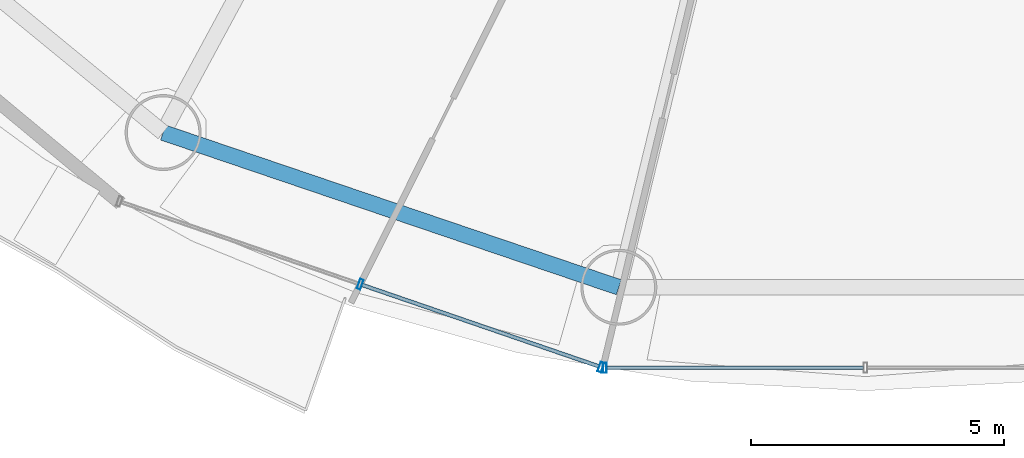
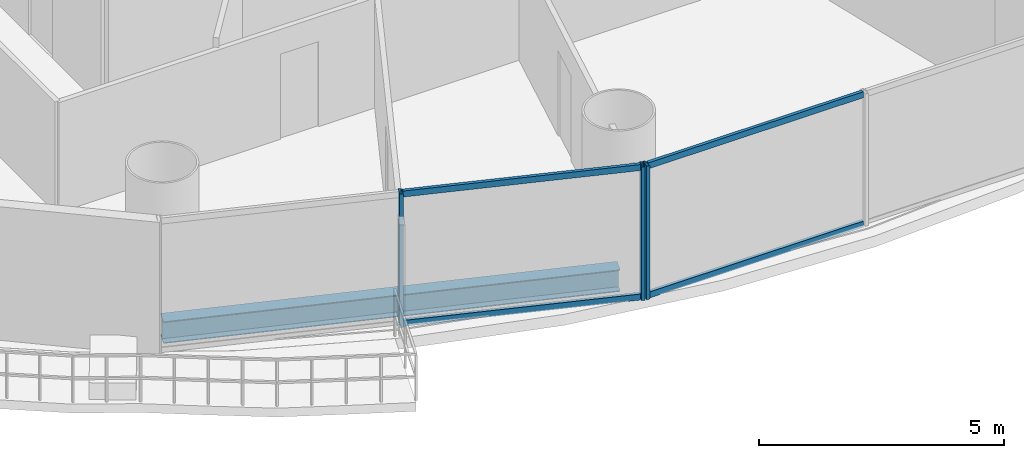
# One storey, part 4 of 29: 7 members, 1 beam, 2 elements without a shape of their own.
"""IFC4 building model written with IfcOpenShell, lengths in metres."""

import ifcopenshell
import ifcopenshell.guid

model = None  # the IFC model being written
_history = None  # IfcOwnerHistory: only IFC2X3 demands one
_inside = {}  # id of a spatial element -> (the spatial element, [elements in it])
_under = {}  # id of a project, library or spatial element -> (it, [spatial elements below it])
_declared = {}  # id of a project -> (the project, [libraries it declares])
_typed = {}  # id of a type object -> (the type object, [elements of that type])
_made_of = {}  # id of a material, layer set ... -> (it, [elements and type objects made of it])


def new_model(schema):
    """Start an empty IFC model of exactly this schema.

    Asked for "IFC4X3", IfcOpenShell would pick the latest addendum, in which some entities
    have other attributes; the version numbers below select the first issue.
    IFC2X3 requires an IfcOwnerHistory on every rooted entity: one is made here for all.
    """
    global model, _history
    if schema == "IFC4X3":
        model = ifcopenshell.file(schema_version=(4, 3, 0, 0))
    else:
        model = ifcopenshell.file(schema=schema)
    _inside.clear()
    _under.clear()
    _declared.clear()
    _typed.clear()
    _made_of.clear()
    _history = None
    if model.schema == "IFC2X3":
        org = make("IfcOrganization", Name="unknown")
        user = make(
            "IfcPersonAndOrganization",
            ThePerson=make("IfcPerson", FamilyName="unknown"),
            TheOrganization=org,
        )
        app = make(
            "IfcApplication",
            ApplicationDeveloper=org,
            Version="unknown",
            ApplicationFullName="unknown",
            ApplicationIdentifier="unknown",
        )
        _history = make(
            "IfcOwnerHistory",
            OwningUser=user,
            OwningApplication=app,
            ChangeAction="ADDED",
            CreationDate=0,
        )
    return model


def make(cls, **values):
    """One entity of the class cls with the attributes given. An attribute that is None is left unset."""
    return model.create_entity(
        cls, **{name: value for name, value in values.items() if value is not None}
    )


def rooted(cls, **values):
    """An entity with a GlobalId (a new one), such as an element, a storey or a relation."""
    return make(cls, GlobalId=ifcopenshell.guid.new(), OwnerHistory=_history, **values)


def si_unit(unit_type, name, prefix=None):
    """IfcSIUnit, for example si_unit("LENGTHUNIT", "METRE", prefix="MILLI")."""
    return make("IfcSIUnit", UnitType=unit_type, Prefix=prefix, Name=name)


def assignment(units):
    """IfcUnitAssignment: the units of a project."""
    return None if units is None else make("IfcUnitAssignment", Units=units)


def point(xyz):
    """IfcCartesianPoint."""
    return None if xyz is None else make("IfcCartesianPoint", Coordinates=xyz)


def direction(xyz):
    """IfcDirection."""
    return None if xyz is None else make("IfcDirection", DirectionRatios=xyz)


def frame(location, z_axis=None, x_axis=None):
    """IfcAxis2Placement3D, a coordinate frame: its origin and axes. An axis left out is left unset."""
    return make(
        "IfcAxis2Placement3D",
        Location=point(location),
        Axis=direction(z_axis),
        RefDirection=direction(x_axis),
    )


def frame_2d(location, x_axis=None):
    """IfcAxis2Placement2D, a coordinate frame in the plane: its origin and x axis."""
    return make(
        "IfcAxis2Placement2D", Location=point(location), RefDirection=direction(x_axis)
    )


def origin():
    """The frame at (0, 0, 0) with its axes left unset."""
    return frame((0.0, 0.0, 0.0))


def origin_2d():
    """The frame at (0, 0) in the plane with its x axis left unset."""
    return frame_2d((0.0, 0.0))


def place(relative_to, where):
    """IfcLocalPlacement: puts the frame where relative to a parent placement (None: the world)."""
    return make(
        "IfcLocalPlacement", PlacementRelTo=relative_to, RelativePlacement=where
    )


def context(
    kind, dimensions, precision=None, world=None, true_north=None, identifier=None
):
    """IfcGeometricRepresentationContext, for example the 3D "Model" context."""
    return make(
        "IfcGeometricRepresentationContext",
        ContextIdentifier=identifier,
        ContextType=kind,
        CoordinateSpaceDimension=dimensions,
        Precision=precision,
        WorldCoordinateSystem=world,
        TrueNorth=true_north,
    )


def subcontext(parent, identifier, kind, view, scale=None):
    """IfcGeometricRepresentationSubContext, for example "Body" below "Model"."""
    return make(
        "IfcGeometricRepresentationSubContext",
        ContextIdentifier=identifier,
        ContextType=kind,
        ParentContext=parent,
        TargetScale=scale,
        TargetView=view,
    )


def project(units=None, contexts=None):
    """IfcProject with its units and contexts."""
    return rooted(
        "IfcProject",
        Name="project",
        RepresentationContexts=contexts,
        UnitsInContext=assignment(units),
    )


def spatial(cls, under=None, at=None, **own):
    """A site, building, storey or space (cls), placed at a placement, below another one or the project."""
    s = rooted(cls, ObjectPlacement=at, **own)
    if under is not None:
        _under.setdefault(under.id(), (under, []))[1].append(s)
    return s


def profile(cls, at=None, kind="AREA", **sizes):
    """A parametric profile (cls). Its sizes go by their IFC names, for example OverallWidth=200.0."""
    return make(cls, ProfileType=kind, Position=at, **sizes)


def hollow_rectangle(**sizes):
    """IfcRectangleHollowProfileDef."""
    return profile("IfcRectangleHollowProfileDef", **sizes)


def i_section(**sizes):
    """IfcIShapeProfileDef."""
    return profile("IfcIShapeProfileDef", **sizes)


def extrude(swept, where, along, depth):
    """IfcExtrudedAreaSolid: the profile swept, set in the frame where, extruded along a direction by depth."""
    return make(
        "IfcExtrudedAreaSolid",
        SweptArea=swept,
        Position=where,
        ExtrudedDirection=direction(along),
        Depth=depth,
    )


def shape(context_of_items, identifier, shape_type, items):
    """IfcShapeRepresentation: the items that make up one representation, for example the "Body"."""
    return make(
        "IfcShapeRepresentation",
        ContextOfItems=context_of_items,
        RepresentationIdentifier=identifier,
        RepresentationType=shape_type,
        Items=items,
    )


def source(mapping_origin, context_of_items, identifier, shape_type, items):
    """IfcRepresentationMap: a shape defined once, which mapped items show again and again."""
    return make(
        "IfcRepresentationMap",
        MappingOrigin=mapping_origin,
        MappedRepresentation=shape(context_of_items, identifier, shape_type, items),
    )


def transform(
    local_origin,
    x_axis=None,
    y_axis=None,
    z_axis=None,
    scale=None,
    scale2=None,
    scale3=None,
    uniform=True,
):
    """IfcCartesianTransformationOperator3D, or its non-uniform kind. x_axis, y_axis, z_axis: its Axis1, 2, 3."""
    if uniform:
        return make(
            "IfcCartesianTransformationOperator3D",
            Axis1=direction(x_axis),
            Axis2=direction(y_axis),
            LocalOrigin=point(local_origin),
            Scale=scale,
            Axis3=direction(z_axis),
        )
    return make(
        "IfcCartesianTransformationOperator3DnonUniform",
        Axis1=direction(x_axis),
        Axis2=direction(y_axis),
        LocalOrigin=point(local_origin),
        Scale=scale,
        Axis3=direction(z_axis),
        Scale2=scale2,
        Scale3=scale3,
    )


def mapped(mapping_source, mapping_target):
    """IfcMappedItem: shows the shape of a source again, moved by a transform."""
    return make(
        "IfcMappedItem", MappingSource=mapping_source, MappingTarget=mapping_target
    )


def material(Name=None, Category=None):
    """IfcMaterial."""
    return make("IfcMaterial", Name=Name, Category=Category)


def material_profile(
    of_material, cross_section, Name=None, Category=None, Priority=None
):
    """IfcMaterialProfile: a cross section and its material."""
    return make(
        "IfcMaterialProfile",
        Name=Name,
        Material=of_material,
        Profile=cross_section,
        Priority=Priority,
        Category=Category,
    )


def profile_set(profiles, Name=None, composite=None):
    """IfcMaterialProfileSet."""
    return make(
        "IfcMaterialProfileSet",
        Name=Name,
        MaterialProfiles=profiles,
        CompositeProfile=composite,
    )


def made_of(thing, what):
    """Note that an element or type object is made of a material, layer set ...; save() writes the relation."""
    if what is not None:
        _made_of.setdefault(what.id(), (what, []))[1].append(thing)
    return thing


def type_object(cls, material=None, **own):
    """A type object (cls), such as IfcWallType, which elements share."""
    return made_of(rooted(cls, **own), material)


def element(
    cls,
    number,
    at=None,
    inside=None,
    cuts=None,
    type_object=None,
    material=None,
    context=None,
    identifier="Body",
    shape_type=None,
    held_by="IfcProductDefinitionShape",
    body=None,
    shapes=None,
    **own,
):
    """One element of the class cls, such as IfcWall. Its Tag is "e" and its number.

    at: its placement. inside: the storey or other place that contains it. cuts: it is an
    opening in that element (IfcRelVoidsElement). A single representation is given by context,
    identifier, shape_type and body (its items); several are given by shapes. held_by: the class
    of the entity that holds the representations. save() writes the other relations.
    """
    e = rooted(cls, Tag="e%d" % number, ObjectPlacement=at, **own)
    if body is not None:
        shapes = [shape(context, identifier, shape_type, body)]
    if shapes is not None:
        e.Representation = make(held_by, Representations=shapes)
    if inside is not None:
        _inside.setdefault(inside.id(), (inside, []))[1].append(e)
    if cuts is not None:
        rooted(
            "IfcRelVoidsElement", RelatingBuildingElement=cuts, RelatedOpeningElement=e
        )
    if type_object is not None:
        _typed.setdefault(type_object.id(), (type_object, []))[1].append(e)
    return made_of(e, material)


def aggregate(whole, parts):
    """IfcRelAggregates: a whole, such as a stair, and the parts it consists of."""
    return rooted("IfcRelAggregates", RelatingObject=whole, RelatedObjects=parts)


def save(model, path):
    """Write the relations noted so far, then the file.

    IfcRelAggregates (storeys below a building ...), IfcRelContainedInSpatialStructure (elements
    in a storey), IfcRelDefinesByType, IfcRelAssociatesMaterial and IfcRelDeclares: one each for
    every whole, place, type object, material and project.
    """
    for whole, parts in _under.values():
        aggregate(whole, parts)
    for where, things in _inside.values():
        rooted(
            "IfcRelContainedInSpatialStructure",
            RelatedElements=things,
            RelatingStructure=where,
        )
    for kind, things in _typed.values():
        rooted("IfcRelDefinesByType", RelatedObjects=things, RelatingType=kind)
    for what, things in _made_of.values():
        rooted("IfcRelAssociatesMaterial", RelatedObjects=things, RelatingMaterial=what)
    for by, libraries in _declared.values():
        rooted("IfcRelDeclares", RelatingContext=by, RelatedDefinitions=libraries)
    model.write(path)


model = new_model("IFC4")

# Units and contexts
model_context = context("Model", 3, precision=1e-05, world=origin(), true_north=direction((-0.2419218956, 0.970295726276)))
body_context = subcontext(model_context, "Body", "Model", "MODEL_VIEW")
ifc_project = project(units=[si_unit("LENGTHUNIT", "METRE"), si_unit("AREAUNIT", "SQUARE_METRE"), si_unit("VOLUMEUNIT", "CUBIC_METRE"), si_unit("PLANEANGLEUNIT", "RADIAN"), si_unit("MASSUNIT", "GRAM", prefix="KILO")], contexts=[model_context])

# Site, building, storey
site_placement = place(None, origin())
site = spatial("IfcSite", under=ifc_project, at=site_placement, CompositionType="ELEMENT")
building_placement = place(site_placement, origin())
building = spatial("IfcBuilding", under=site, at=building_placement, Name="Cobrevalo Terracotta Tower", CompositionType="ELEMENT")
storey_placement = place(building_placement, frame((0.0, 0.0, 83.39990234375)))
storey = spatial("IfcBuildingStorey", under=building, at=storey_placement, Name="L21", CompositionType="ELEMENT", Elevation=83.39990234375)

# Beam
ifc_material_1 = material(Name="Steel S355", Category="steel")
ifc_material_profile_1 = material_profile(ifc_material_1, i_section(OverallWidth=0.31201171875, OverallDepth=0.54296875, WebThickness=0.0126953125, FlangeThickness=0.020263671875, at=origin_2d()), Name="W 530x150")
ifc_profile_set_1 = profile_set([ifc_material_profile_1], Name="Steel S355")
beam_type = type_object("IfcBeamType", Name="Structural Spandrel W 530x150 (Steel S355)", PredefinedType="SPANDREL", material=ifc_profile_set_1)
beam_placement = place(storey_placement, frame((24.138427734375, 9.79638671875, -0.54638671875), z_axis=(0.94691835344, -0.321474154356, 0.0), x_axis=(0.321474154356, 0.94691835344, 0.0)))
element("IfcBeam", 1, at=beam_placement, inside=storey, type_object=beam_type, Name="L21 perimeter ring spandrel 11", PredefinedType="SPANDREL", context=body_context, shape_type="SweptSolid", body=[
    extrude(i_section(OverallWidth=0.31201171875, OverallDepth=0.54296875, WebThickness=0.0126953125, FlangeThickness=0.020263671875, at=origin_2d()), origin(), (0.0, 0.0, 1.0), 9.498291015625),
])

# Curtain wall, members
ifc_material_2 = material(Name="Anodized aluminium", Category="aluminium")
curtain_wall_type = type_object("IfcCurtainWallType", Name="Lower-tower unitised acoustic low-E curtain wall CW-U1", PredefinedType="NOTDEFINED", material=ifc_material_2)
curtain_wall_1_placement = place(storey_placement, origin())
curtain_wall_1 = element("IfcCurtainWall", 2, at=curtain_wall_1_placement, inside=storey, type_object=curtain_wall_type, Name="L21 curtain wall CW-L21-S11", PredefinedType="NOTDEFINED")
ifc_material_profile_2 = material_profile(ifc_material_2, hollow_rectangle(XDim=0.074951171875, YDim=0.14990234375, WallThickness=0.00439453125, at=origin_2d()), Name="CWT 75x150")
ifc_profile_set_2 = profile_set([ifc_material_profile_2], Name="Anodized aluminium")
member_type_1 = type_object("IfcMemberType", Name="Tower unitised aluminium transom 75x150", PredefinedType="USERDEFINED", material=ifc_profile_set_2)
shared_shape_1 = source(origin(), body_context, "Body", "SweptSolid", [
    extrude(hollow_rectangle(XDim=0.074951171875, YDim=0.14990234375, WallThickness=0.00439453125, at=origin_2d()), origin(), (0.0, 0.0, 1.0), 4.944580078125),
])
member_1_placement = place(storey_placement, frame((28.065185546875, 6.788818359375, 0.050048828125), z_axis=(0.945597859971, -0.32533780478, 0.0), x_axis=(0.32533780478, 0.945597859971, 0.0)))
member_1 = element("IfcMember", 3, at=member_1_placement, type_object=member_type_1, Name="CW-L21-S11 transom B02-T1", ObjectType="TRANSOM", PredefinedType="USERDEFINED", context=body_context, shape_type="MappedRepresentation", body=[
    mapped(shared_shape_1, transform((0.0, 0.0, 0.0), scale=1.0)),
])
member_2_placement = place(storey_placement, frame((28.065185546875, 6.788818359375, 3.275146484375), z_axis=(0.945597859971, -0.32533780478, 0.0), x_axis=(0.32533780478, 0.945597859971, 0.0)))
member_2 = element("IfcMember", 4, at=member_2_placement, type_object=member_type_1, Name="CW-L21-S11 transom B02-T2", ObjectType="TRANSOM", PredefinedType="USERDEFINED", context=body_context, shape_type="MappedRepresentation", body=[
    mapped(shared_shape_1, transform((0.0, 0.0, 0.0), scale=1.0)),
])

curtain_wall_2_placement = place(storey_placement, origin())
curtain_wall_2 = element("IfcCurtainWall", 5, at=curtain_wall_2_placement, inside=storey, type_object=curtain_wall_type, Name="L21 curtain wall CW-L21-S12", PredefinedType="NOTDEFINED")
shared_shape_2 = source(origin(), body_context, "Body", "SweptSolid", [
    extrude(hollow_rectangle(XDim=0.074951171875, YDim=0.14990234375, WallThickness=0.00439453125, at=origin_2d()), origin(), (0.0, 0.0, 1.0), 5.0634765625),
])
member_3_placement = place(storey_placement, frame((32.896484375, 5.154052734375, 0.050048828125), z_axis=(1.0, 0.0, 0.0), x_axis=(0.0, 1.0, 0.0)))
member_3 = element("IfcMember", 6, at=member_3_placement, type_object=member_type_1, Name="CW-L21-S12 transom B01-T1", ObjectType="TRANSOM", PredefinedType="USERDEFINED", context=body_context, shape_type="MappedRepresentation", body=[
    mapped(shared_shape_2, transform((0.0, 0.0, 0.0), scale=1.0)),
])
member_4_placement = place(storey_placement, frame((32.896484375, 5.154052734375, 3.275146484375), z_axis=(1.0, 0.0, 0.0), x_axis=(0.0, 1.0, 0.0)))
member_4 = element("IfcMember", 7, at=member_4_placement, type_object=member_type_1, Name="CW-L21-S12 transom B01-T2", ObjectType="TRANSOM", PredefinedType="USERDEFINED", context=body_context, shape_type="MappedRepresentation", body=[
    mapped(shared_shape_2, transform((0.0, 0.0, 0.0), scale=1.0)),
])

# Member
ifc_material_profile_3 = material_profile(ifc_material_2, hollow_rectangle(XDim=0.074951171875, YDim=0.199951171875, WallThickness=0.0048828125, at=origin_2d()), Name="CWM 75x200")
ifc_profile_set_3 = profile_set([ifc_material_profile_3], Name="Anodized aluminium")
member_type_2 = type_object("IfcMemberType", Name="Lower/mid tower unitised mullion 75x200", PredefinedType="MULLION", material=ifc_profile_set_3)
shared_shape_3 = source(origin(), body_context, "Body", "SweptSolid", [
    extrude(hollow_rectangle(XDim=0.074951171875, YDim=0.199951171875, WallThickness=0.0048828125, at=origin_2d()), origin(), (0.0, 0.0, 1.0), 3.3251953125),
])
member_5_placement = place(storey_placement, frame((28.027587890625, 6.8017578125, 0.0), z_axis=(0.0, 0.0, 1.0), x_axis=(0.94559809868, -0.325337110968, 0.0)))
member_5 = element("IfcMember", 8, at=member_5_placement, type_object=member_type_2, Name="CW-L21-S11 vertical mullion 02", PredefinedType="MULLION", context=body_context, shape_type="MappedRepresentation", body=[
    mapped(shared_shape_3, transform((0.0, 0.0, 0.0), scale=1.0)),
])

member_6_placement = place(storey_placement, frame((32.778564453125, 5.1669921875, 0.0), z_axis=(0.0, 0.0, 1.0), x_axis=(0.94559809868, -0.325337110968, 0.0)))
member_6 = element("IfcMember", 9, at=member_6_placement, type_object=member_type_2, Name="CW-L21-S11 vertical mullion 03", PredefinedType="MULLION", context=body_context, shape_type="MappedRepresentation", body=[
    mapped(shared_shape_3, transform((0.0, 0.0, 0.0), scale=1.0)),
])

aggregate(curtain_wall_1, [member_5, member_6, member_1, member_2])

member_7_placement = place(storey_placement, frame((32.8564453125, 5.154052734375, 0.0), z_axis=(0.0, 0.0, 1.0), x_axis=(1.0, 0.0, 0.0)))
member_7 = element("IfcMember", 10, at=member_7_placement, type_object=member_type_2, Name="CW-L21-S12 vertical mullion 01", PredefinedType="MULLION", context=body_context, shape_type="MappedRepresentation", body=[
    mapped(shared_shape_3, transform((0.0, 0.0, 0.0), scale=1.0)),
])

aggregate(curtain_wall_2, [member_7, member_3, member_4])

save(model, "model.ifc")
